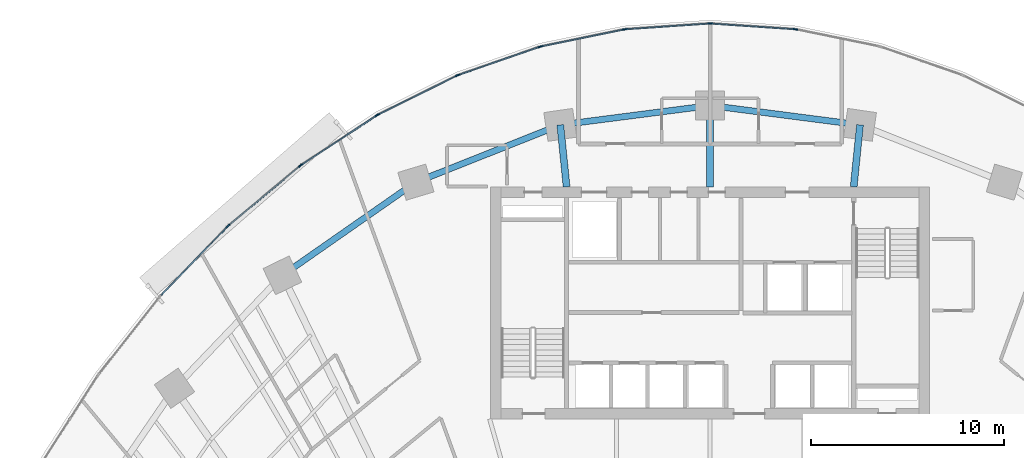
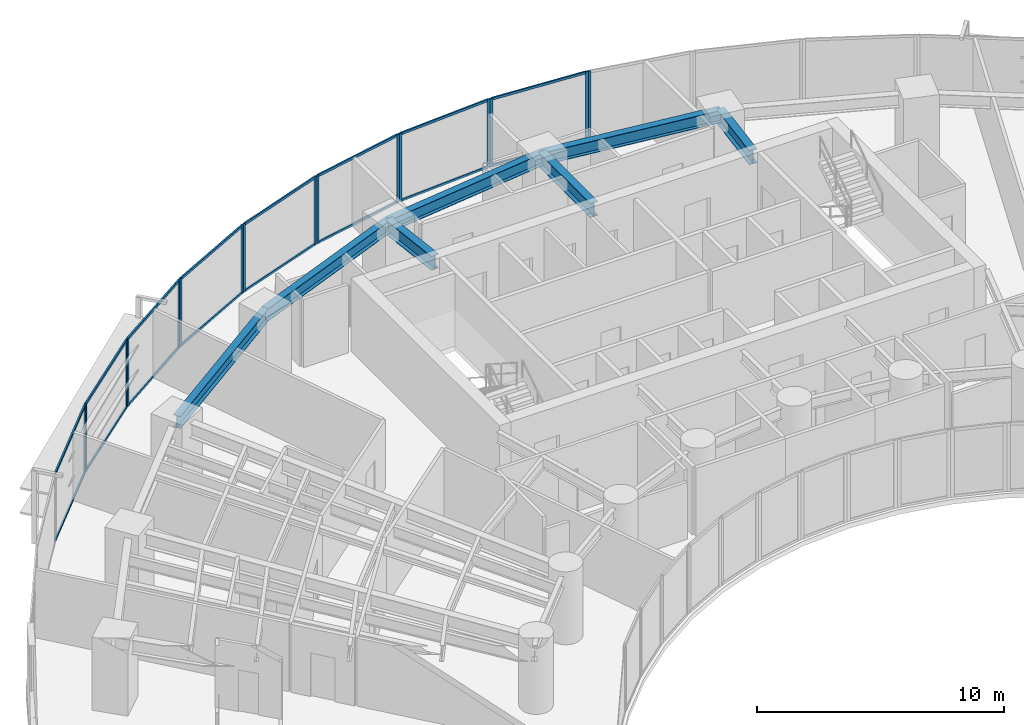
# One storey, part 6 of 17: 32 members, 7 beams, 9 elements without a shape of their own.
"""IFC4 building model written with IfcOpenShell, lengths in metres."""

from ifc_helpers import new_model, si_unit, direction, frame, origin, origin_2d, place, context, subcontext, project, spatial, rectangle, i_section, extrude, source, transform, mapped, material, layer, layer_set, material_profile, profile_set, type_object, type_shapes, element, aggregate, save


model = new_model("IFC4")

# Units and contexts
model_context = context("Model", 3, precision=1e-05, world=origin(), true_north=direction((0.0, 1.0)))
body_context = subcontext(model_context, "Body", "Model", "MODEL_VIEW")
ifc_project = project(units=[si_unit("LENGTHUNIT", "METRE"), si_unit("AREAUNIT", "SQUARE_METRE"), si_unit("VOLUMEUNIT", "CUBIC_METRE"), si_unit("PLANEANGLEUNIT", "RADIAN"), si_unit("MASSUNIT", "GRAM", prefix="KILO")], contexts=[model_context])

# Site, building, storey
site_placement = place(None, origin())
site = spatial("IfcSite", under=ifc_project, at=site_placement, CompositionType="ELEMENT")
building_placement = place(site_placement, origin())
building = spatial("IfcBuilding", under=site, at=building_placement, Name="Breltana Convention Tower", CompositionType="ELEMENT")
storey_placement = place(building_placement, frame((0.0, 0.0, 53.39990234375)))
storey = spatial("IfcBuildingStorey", under=building, at=storey_placement, Name="L11", CompositionType="ELEMENT", Elevation=53.39990234375)

# Beams
ifc_material_1 = material(Name="Steel ASTM A992 Grade 50", Category="steel")
ifc_material_profile_1 = material_profile(ifc_material_1, i_section(OverallWidth=0.323974609375, OverallDepth=0.611083984375, WebThickness=0.0126953125, FlangeThickness=0.01904296875, at=origin_2d()), Name="W24X104")
ifc_profile_set_1 = profile_set([ifc_material_profile_1], Name="Steel ASTM A992 Grade 50")
beam_type_1 = type_object("IfcBeamType", Name="BM-SP-W24X104", PredefinedType="SPANDREL", material=ifc_profile_set_1)
shared_shape_1 = source(origin(), body_context, "Body", "SweptSolid", [
    extrude(i_section(OverallWidth=0.323974609375, OverallDepth=0.611083984375, WebThickness=0.0126953125, FlangeThickness=0.01904296875, at=origin_2d()), origin(), (0.0, 0.0, 1.0), 8.4169921875),
])
beam_1_placement = place(storey_placement, frame((25.8876953125, 67.626953125, 3.0546875), z_axis=(0.820173800102, 0.572114444519, 0.0), x_axis=(-0.572114444519, 0.820173800102, 0.0)))
element("IfcBeam", 1, at=beam_1_placement, inside=storey, type_object=beam_type_1, Name="L11 Outer Spandrel Beam 03", PredefinedType="SPANDREL", context=body_context, shape_type="MappedRepresentation", body=[
    mapped(shared_shape_1, transform((0.0, 0.0, 0.0), scale=1.0)),
])
shared_shape_2 = source(origin(), body_context, "Body", "SweptSolid", [
    extrude(i_section(OverallWidth=0.323974609375, OverallDepth=0.611083984375, WebThickness=0.0126953125, FlangeThickness=0.01904296875, at=origin_2d()), origin(), (0.0, 0.0, 1.0), 8.028564453125),
])
beam_2_placement = place(storey_placement, frame((32.791015625, 72.4423828125, 3.0546875), z_axis=(0.929459100394, 0.368925169507, 0.0), x_axis=(-0.368925169507, 0.929459100394, 0.0)))
element("IfcBeam", 2, at=beam_2_placement, inside=storey, type_object=beam_type_1, Name="L11 Outer Spandrel Beam 04", PredefinedType="SPANDREL", context=body_context, shape_type="MappedRepresentation", body=[
    mapped(shared_shape_2, transform((0.0, 0.0, 0.0), scale=1.0)),
])
shared_shape_3 = source(origin(), body_context, "Body", "SweptSolid", [
    extrude(i_section(OverallWidth=0.323974609375, OverallDepth=0.611083984375, WebThickness=0.0126953125, FlangeThickness=0.01904296875, at=origin_2d()), origin(), (0.0, 0.0, 1.0), 7.81103515625),
])
for number, where, z_axis, x_axis, name in (
    (3, (40.253173828125, 75.404296875, 3.0546875), (0.991775179127, 0.127992164083, 0.0), (-0.127992164083, 0.991775179127, 0.0), "L11 Outer Spandrel Beam 05"),
    (4, (48.0, 76.404052734375, 3.0546875), (0.991775179127, -0.127992164083, 0.0), (0.127992164083, 0.991775179127, 0.0), "L11 Outer Spandrel Beam 06"),
):
    element("IfcBeam", number, at=place(storey_placement, frame(where, z_axis=z_axis, x_axis=x_axis)), inside=storey, type_object=beam_type_1, Name=name, PredefinedType="SPANDREL", context=body_context, shape_type="MappedRepresentation", body=[
        mapped(shared_shape_3, transform((0.0, 0.0, 0.0), scale=1.0)),
    ])
ifc_material_profile_2 = material_profile(ifc_material_1, i_section(OverallWidth=0.35498046875, OverallDepth=0.696044921875, WebThickness=0.015380859375, FlangeThickness=0.02490234375, at=origin_2d()), Name="W27X146")
ifc_profile_set_2 = profile_set([ifc_material_profile_2], Name="Steel ASTM A992 Grade 50")
beam_type_2 = type_object("IfcBeamType", Name="BM-RG-W27X146", PredefinedType="USERDEFINED", material=ifc_profile_set_2)
shared_shape_4 = source(origin(), body_context, "Body", "SweptSolid", [
    extrude(i_section(OverallWidth=0.35498046875, OverallDepth=0.696044921875, WebThickness=0.015380859375, FlangeThickness=0.02490234375, at=origin_2d()), origin(), (0.0, 0.0, 1.0), 3.220947265625),
])
for number, where, z_axis, x_axis, name in (
    (5, (40.580078125, 72.199951171875, 3.01220703125), (-0.101492254858, 0.994836329355, 0.0), (-0.994836329355, -0.101492254858, 0.0), "L11 North Core Radial Girder R05"),
    (6, (55.419921875, 72.199951171875, 3.01220703125), (0.101492254858, 0.994836329355, 0.0), (-0.994836329355, 0.101492254858, 0.0), "L11 North Core Radial Girder R07"),
):
    element("IfcBeam", number, at=place(storey_placement, frame(where, z_axis=z_axis, x_axis=x_axis)), inside=storey, type_object=beam_type_2, Name=name, ObjectType="GIRDER", PredefinedType="USERDEFINED", context=body_context, shape_type="MappedRepresentation", body=[
        mapped(shared_shape_4, transform((0.0, 0.0, 0.0), scale=1.0)),
    ])
shared_shape_5 = source(origin(), body_context, "Body", "SweptSolid", [
    extrude(i_section(OverallWidth=0.35498046875, OverallDepth=0.696044921875, WebThickness=0.015380859375, FlangeThickness=0.02490234375, at=origin_2d()), origin(), (0.0, 0.0, 1.0), 4.2041015625),
])
beam_3_placement = place(storey_placement, frame((48.0, 72.199951171875, 3.01220703125), z_axis=(0.0, 1.0, 0.0), x_axis=(-1.0, 0.0, 0.0)))
element("IfcBeam", 7, at=beam_3_placement, inside=storey, type_object=beam_type_2, Name="L11 North Core Radial Girder R06", ObjectType="GIRDER", PredefinedType="USERDEFINED", context=body_context, shape_type="MappedRepresentation", body=[
    mapped(shared_shape_5, transform((0.0, 0.0, 0.0), scale=1.0)),
])

# Curtain wall, member
ifc_material_2 = material(Name="Aluminium Anodised Bronze Frame", Category="aluminium")
ifc_layer = layer(ifc_material_2, 0.199951171875, Name="Aluminium Anodised Bronze Frame")
ifc_layer_set = layer_set([ifc_layer], Name="Aluminium Anodised Bronze Frame")
curtain_wall_type = type_object("IfcCurtainWallType", Name="CW-SYS-2", PredefinedType="NOTDEFINED", material=ifc_layer_set)
curtain_wall_1_placement = place(storey_placement, origin())
curtain_wall_1 = element("IfcCurtainWall", 8, at=curtain_wall_1_placement, inside=storey, type_object=curtain_wall_type, Name="L11 outer double-skin inner glazing 3", PredefinedType="NOTDEFINED")
ifc_material_3 = material(Name="Aluminium Anodised Bronze", Category="aluminium")
ifc_material_profile_3 = material_profile(ifc_material_3, rectangle(XDim=0.070068359375, YDim=0.175048828125, at=origin_2d()), Name="CWM-70X175")
ifc_profile_set_3 = profile_set([ifc_material_profile_3], Name="Aluminium Anodised Bronze")
member_type_1 = type_object("IfcMemberType", Name="CWM-175", PredefinedType="MULLION", material=ifc_profile_set_3)
shared_shape_6 = source(origin(), body_context, "Body", "SweptSolid", [
    extrude(rectangle(XDim=0.070068359375, YDim=0.175048828125, at=origin_2d()), origin(), (0.0, 0.0, 1.0), 3.360107421875),
])
type_shapes(member_type_1, [shared_shape_6])
member_1_placement = place(storey_placement, frame((23.044189453125, 70.147705078125, 0.0), z_axis=(0.0, 0.0, 1.0), x_axis=(-0.719386421003, 0.694610090106, 0.0)))
member_1 = element("IfcMember", 9, at=member_1_placement, type_object=member_type_1, Name="CW-02 mullion 2", PredefinedType="MULLION", context=body_context, shape_type="MappedRepresentation", body=[
    mapped(shared_shape_6, transform((0.0, 0.0, 0.0), scale=1.0)),
])

# Curtain wall, members
curtain_wall_2_placement = place(storey_placement, origin())
curtain_wall_2 = element("IfcCurtainWall", 10, at=curtain_wall_2_placement, inside=storey, type_object=curtain_wall_type, Name="L11 outer double-skin inner glazing 4", PredefinedType="NOTDEFINED")
member_2_placement = place(storey_placement, frame((23.09521484375, 70.1953125, 0.0), z_axis=(0.0, 0.0, 1.0), x_axis=(-0.640520193554, 0.767941326958, 0.0)))
member_2 = element("IfcMember", 11, at=member_2_placement, type_object=member_type_1, Name="CW-02 mullion 1", PredefinedType="MULLION", context=body_context, shape_type="MappedRepresentation", body=[
    mapped(shared_shape_6, transform((0.0, 0.0, 0.0), scale=1.0)),
])
member_3_placement = place(storey_placement, frame((26.79736328125, 73.283203125, 0.0), z_axis=(0.0, 0.0, 1.0), x_axis=(-0.640520193554, 0.767941326958, 0.0)))
member_3 = element("IfcMember", 12, at=member_3_placement, type_object=member_type_1, Name="CW-02 mullion 2", PredefinedType="MULLION", context=body_context, shape_type="MappedRepresentation", body=[
    mapped(shared_shape_6, transform((0.0, 0.0, 0.0), scale=1.0)),
])

curtain_wall_3_placement = place(storey_placement, origin())
curtain_wall_3 = element("IfcCurtainWall", 13, at=curtain_wall_3_placement, inside=storey, type_object=curtain_wall_type, Name="L11 outer double-skin inner glazing 5", PredefinedType="NOTDEFINED")
member_4_placement = place(storey_placement, frame((26.853515625, 73.32470703125, 0.0), z_axis=(0.0, 0.0, 1.0), x_axis=(-0.548784255746, 0.83596401875, 0.0)))
member_4 = element("IfcMember", 14, at=member_4_placement, type_object=member_type_1, Name="CW-02 mullion 1", PredefinedType="MULLION", context=body_context, shape_type="MappedRepresentation", body=[
    mapped(shared_shape_6, transform((0.0, 0.0, 0.0), scale=1.0)),
])
member_5_placement = place(storey_placement, frame((30.766357421875, 75.8935546875, 0.0), z_axis=(0.0, 0.0, 1.0), x_axis=(-0.548784255746, 0.83596401875, 0.0)))
member_5 = element("IfcMember", 15, at=member_5_placement, type_object=member_type_1, Name="CW-02 mullion 2", PredefinedType="MULLION", context=body_context, shape_type="MappedRepresentation", body=[
    mapped(shared_shape_6, transform((0.0, 0.0, 0.0), scale=1.0)),
])

curtain_wall_4_placement = place(storey_placement, origin())
curtain_wall_4 = element("IfcCurtainWall", 16, at=curtain_wall_4_placement, inside=storey, type_object=curtain_wall_type, Name="L11 outer double-skin inner glazing 6", PredefinedType="NOTDEFINED")
member_6_placement = place(storey_placement, frame((30.8271484375, 75.92822265625, 0.0), z_axis=(0.0, 0.0, 1.0), x_axis=(-0.444107703726, 0.895973407804, 0.0)))
member_6 = element("IfcMember", 17, at=member_6_placement, type_object=member_type_1, Name="CW-02 mullion 1", PredefinedType="MULLION", context=body_context, shape_type="MappedRepresentation", body=[
    mapped(shared_shape_6, transform((0.0, 0.0, 0.0), scale=1.0)),
])
member_7_placement = place(storey_placement, frame((34.910400390625, 77.9521484375, 0.0), z_axis=(0.0, 0.0, 1.0), x_axis=(-0.444107703726, 0.895973407804, 0.0)))
member_7 = element("IfcMember", 18, at=member_7_placement, type_object=member_type_1, Name="CW-02 mullion 2", PredefinedType="MULLION", context=body_context, shape_type="MappedRepresentation", body=[
    mapped(shared_shape_6, transform((0.0, 0.0, 0.0), scale=1.0)),
])

curtain_wall_5_placement = place(storey_placement, origin())
curtain_wall_5 = element("IfcCurtainWall", 19, at=curtain_wall_5_placement, inside=storey, type_object=curtain_wall_type, Name="L11 outer double-skin inner glazing 7", PredefinedType="NOTDEFINED")
member_8_placement = place(storey_placement, frame((34.974853515625, 77.979248046875, 0.0), z_axis=(0.0, 0.0, 1.0), x_axis=(-0.32742834581, 0.944876012163, 0.0)))
member_8 = element("IfcMember", 20, at=member_8_placement, type_object=member_type_1, Name="CW-02 mullion 1", PredefinedType="MULLION", context=body_context, shape_type="MappedRepresentation", body=[
    mapped(shared_shape_6, transform((0.0, 0.0, 0.0), scale=1.0)),
])
member_9_placement = place(storey_placement, frame((39.1875, 79.43896484375, 0.0), z_axis=(0.0, 0.0, 1.0), x_axis=(-0.32742834581, 0.944876012163, 0.0)))
member_9 = element("IfcMember", 21, at=member_9_placement, type_object=member_type_1, Name="CW-02 mullion 2", PredefinedType="MULLION", context=body_context, shape_type="MappedRepresentation", body=[
    mapped(shared_shape_6, transform((0.0, 0.0, 0.0), scale=1.0)),
])

curtain_wall_6_placement = place(storey_placement, origin())
curtain_wall_6 = element("IfcCurtainWall", 22, at=curtain_wall_6_placement, inside=storey, type_object=curtain_wall_type, Name="L11 outer double-skin inner glazing 8", PredefinedType="NOTDEFINED")
member_10_placement = place(storey_placement, frame((39.2548828125, 79.45751953125, 0.0), z_axis=(0.0, 0.0, 1.0), x_axis=(-0.200884537139, 0.979614925743, 0.0)))
member_10 = element("IfcMember", 23, at=member_10_placement, type_object=member_type_1, Name="CW-02 mullion 1", PredefinedType="MULLION", context=body_context, shape_type="MappedRepresentation", body=[
    mapped(shared_shape_6, transform((0.0, 0.0, 0.0), scale=1.0)),
])
member_11_placement = place(storey_placement, frame((43.5537109375, 80.339111328125, 0.0), z_axis=(0.0, 0.0, 1.0), x_axis=(-0.200884537139, 0.979614925743, 0.0)))
member_11 = element("IfcMember", 24, at=member_11_placement, type_object=member_type_1, Name="CW-02 mullion 2", PredefinedType="MULLION", context=body_context, shape_type="MappedRepresentation", body=[
    mapped(shared_shape_6, transform((0.0, 0.0, 0.0), scale=1.0)),
])

curtain_wall_7_placement = place(storey_placement, origin())
curtain_wall_7 = element("IfcCurtainWall", 25, at=curtain_wall_7_placement, inside=storey, type_object=curtain_wall_type, Name="L11 outer double-skin inner glazing 9", PredefinedType="NOTDEFINED")
member_12_placement = place(storey_placement, frame((43.622802734375, 80.348388671875, 0.0), z_axis=(0.0, 0.0, 1.0), x_axis=(-0.067725650529, 0.997703982282, 0.0)))
member_12 = element("IfcMember", 26, at=member_12_placement, type_object=member_type_1, Name="CW-02 mullion 1", PredefinedType="MULLION", context=body_context, shape_type="MappedRepresentation", body=[
    mapped(shared_shape_6, transform((0.0, 0.0, 0.0), scale=1.0)),
])
member_13_placement = place(storey_placement, frame((47.965087890625, 80.643310546875, 0.0), z_axis=(0.0, 0.0, 1.0), x_axis=(-0.067725650529, 0.997703982282, 0.0)))
member_13 = element("IfcMember", 27, at=member_13_placement, type_object=member_type_1, Name="CW-02 mullion 2", PredefinedType="MULLION", context=body_context, shape_type="MappedRepresentation", body=[
    mapped(shared_shape_6, transform((0.0, 0.0, 0.0), scale=1.0)),
])

curtain_wall_8_placement = place(storey_placement, origin())
curtain_wall_8 = element("IfcCurtainWall", 28, at=curtain_wall_8_placement, inside=storey, type_object=curtain_wall_type, Name="L11 outer double-skin inner glazing 10", PredefinedType="NOTDEFINED")
member_14_placement = place(storey_placement, frame((48.034912109375, 80.643310546875, 0.0), z_axis=(0.0, 0.0, 1.0), x_axis=(0.067725650529, 0.997703982282, 0.0)))
member_14 = element("IfcMember", 29, at=member_14_placement, type_object=member_type_1, Name="CW-02 mullion 1", PredefinedType="MULLION", context=body_context, shape_type="MappedRepresentation", body=[
    mapped(shared_shape_6, transform((0.0, 0.0, 0.0), scale=1.0)),
])
member_15_placement = place(storey_placement, frame((52.377197265625, 80.348388671875, 0.0), z_axis=(0.0, 0.0, 1.0), x_axis=(0.067725650529, 0.997703982282, 0.0)))
member_15 = element("IfcMember", 30, at=member_15_placement, type_object=member_type_1, Name="CW-02 mullion 2", PredefinedType="MULLION", context=body_context, shape_type="MappedRepresentation", body=[
    mapped(shared_shape_6, transform((0.0, 0.0, 0.0), scale=1.0)),
])

# Curtain wall, member
curtain_wall_9_placement = place(storey_placement, origin())
curtain_wall_9 = element("IfcCurtainWall", 31, at=curtain_wall_9_placement, inside=storey, type_object=curtain_wall_type, Name="L11 outer double-skin inner glazing 11", PredefinedType="NOTDEFINED")
member_16_placement = place(storey_placement, frame((52.4462890625, 80.339111328125, 0.0), z_axis=(0.0, 0.0, 1.0), x_axis=(0.200884537139, 0.979614925743, 0.0)))
member_16 = element("IfcMember", 32, at=member_16_placement, type_object=member_type_1, Name="CW-02 mullion 1", PredefinedType="MULLION", context=body_context, shape_type="MappedRepresentation", body=[
    mapped(shared_shape_6, transform((0.0, 0.0, 0.0), scale=1.0)),
])
aggregate(curtain_wall_9, [member_16])

# Member
ifc_material_profile_4 = material_profile(ifc_material_3, rectangle(XDim=0.070068359375, YDim=0.1201171875, at=origin_2d()), Name="CWT-70X120")
ifc_profile_set_4 = profile_set([ifc_material_profile_4], Name="Aluminium Anodised Bronze")
member_type_2 = type_object("IfcMemberType", Name="CWT-120", PredefinedType="USERDEFINED", material=ifc_profile_set_4)
shared_shape_7 = source(origin(), body_context, "Body", "SweptSolid", [
    extrude(rectangle(XDim=0.070068359375, YDim=0.1201171875, at=origin_2d()), origin(), (0.0, 0.0, 1.0), 4.901123046875),
])
member_17_placement = place(storey_placement, frame((19.615478515625, 66.5966796875, 0.03515625), z_axis=(0.6945945137, 0.719401460617, 0.0), x_axis=(-0.719401460617, 0.6945945137, 0.0)))
member_17 = element("IfcMember", 33, at=member_17_placement, type_object=member_type_2, Name="CW-02 transom 1.1", ObjectType="TRANSOM", PredefinedType="USERDEFINED", context=body_context, shape_type="MappedRepresentation", body=[
    mapped(shared_shape_7, transform((0.0, 0.0, 0.0), scale=1.0)),
])

member_18_placement = place(storey_placement, frame((19.615478515625, 66.5966796875, 3.3251953125), z_axis=(0.6945945137, 0.719401460617, 0.0), x_axis=(-0.719401460617, 0.6945945137, 0.0)))
member_18 = element("IfcMember", 34, at=member_18_placement, type_object=member_type_2, Name="CW-02 transom 1.2", ObjectType="TRANSOM", PredefinedType="USERDEFINED", context=body_context, shape_type="MappedRepresentation", body=[
    mapped(shared_shape_7, transform((0.0, 0.0, 0.0), scale=1.0)),
])

aggregate(curtain_wall_1, [member_1, member_17, member_18])

shared_shape_8 = source(origin(), body_context, "Body", "SweptSolid", [
    extrude(rectangle(XDim=0.070068359375, YDim=0.1201171875, at=origin_2d()), origin(), (0.0, 0.0, 1.0), 4.7509765625),
])
member_19_placement = place(storey_placement, frame((23.1220703125, 70.2177734375, 0.03515625), z_axis=(0.767951631807, 0.64050783852, 0.0), x_axis=(-0.64050783852, 0.767951631807, 0.0)))
member_19 = element("IfcMember", 35, at=member_19_placement, type_object=member_type_2, Name="CW-02 transom 1.1", ObjectType="TRANSOM", PredefinedType="USERDEFINED", context=body_context, shape_type="MappedRepresentation", body=[
    mapped(shared_shape_8, transform((0.0, 0.0, 0.0), scale=1.0)),
])

member_20_placement = place(storey_placement, frame((23.1220703125, 70.2177734375, 3.3251953125), z_axis=(0.767951631807, 0.64050783852, 0.0), x_axis=(-0.64050783852, 0.767951631807, 0.0)))
member_20 = element("IfcMember", 36, at=member_20_placement, type_object=member_type_2, Name="CW-02 transom 1.2", ObjectType="TRANSOM", PredefinedType="USERDEFINED", context=body_context, shape_type="MappedRepresentation", body=[
    mapped(shared_shape_8, transform((0.0, 0.0, 0.0), scale=1.0)),
])

aggregate(curtain_wall_2, [member_2, member_3, member_19, member_20])

shared_shape_9 = source(origin(), body_context, "Body", "SweptSolid", [
    extrude(rectangle(XDim=0.070068359375, YDim=0.1201171875, at=origin_2d()), origin(), (0.0, 0.0, 1.0), 4.610595703125),
])
member_21_placement = place(storey_placement, frame((26.8828125, 73.343994140625, 0.03515625), z_axis=(0.835956055104, 0.54879638659, 0.0), x_axis=(-0.54879638659, 0.835956055104, 0.0)))
member_21 = element("IfcMember", 37, at=member_21_placement, type_object=member_type_2, Name="CW-02 transom 1.1", ObjectType="TRANSOM", PredefinedType="USERDEFINED", context=body_context, shape_type="MappedRepresentation", body=[
    mapped(shared_shape_9, transform((0.0, 0.0, 0.0), scale=1.0)),
])

member_22_placement = place(storey_placement, frame((26.8828125, 73.343994140625, 3.3251953125), z_axis=(0.835956055104, 0.54879638659, 0.0), x_axis=(-0.54879638659, 0.835956055104, 0.0)))
member_22 = element("IfcMember", 38, at=member_22_placement, type_object=member_type_2, Name="CW-02 transom 1.2", ObjectType="TRANSOM", PredefinedType="USERDEFINED", context=body_context, shape_type="MappedRepresentation", body=[
    mapped(shared_shape_9, transform((0.0, 0.0, 0.0), scale=1.0)),
])

aggregate(curtain_wall_3, [member_4, member_5, member_21, member_22])

shared_shape_10 = source(origin(), body_context, "Body", "SweptSolid", [
    extrude(rectangle(XDim=0.070068359375, YDim=0.1201171875, at=origin_2d()), origin(), (0.0, 0.0, 1.0), 4.487548828125),
])
member_23_placement = place(storey_placement, frame((30.8583984375, 75.94384765625, 0.03515625), z_axis=(0.895977728863, 0.444098986017, 0.0), x_axis=(-0.444098986017, 0.895977728863, 0.0)))
member_23 = element("IfcMember", 39, at=member_23_placement, type_object=member_type_2, Name="CW-02 transom 1.1", ObjectType="TRANSOM", PredefinedType="USERDEFINED", context=body_context, shape_type="MappedRepresentation", body=[
    mapped(shared_shape_10, transform((0.0, 0.0, 0.0), scale=1.0)),
])

member_24_placement = place(storey_placement, frame((30.8583984375, 75.94384765625, 3.3251953125), z_axis=(0.895977728863, 0.444098986017, 0.0), x_axis=(-0.444098986017, 0.895977728863, 0.0)))
member_24 = element("IfcMember", 40, at=member_24_placement, type_object=member_type_2, Name="CW-02 transom 1.2", ObjectType="TRANSOM", PredefinedType="USERDEFINED", context=body_context, shape_type="MappedRepresentation", body=[
    mapped(shared_shape_10, transform((0.0, 0.0, 0.0), scale=1.0)),
])

aggregate(curtain_wall_4, [member_6, member_7, member_23, member_24])

shared_shape_11 = source(origin(), body_context, "Body", "SweptSolid", [
    extrude(rectangle(XDim=0.070068359375, YDim=0.1201171875, at=origin_2d()), origin(), (0.0, 0.0, 1.0), 4.38818359375),
])
member_25_placement = place(storey_placement, frame((35.008056640625, 77.99072265625, 0.03515625), z_axis=(0.944878203019, 0.32742202348, 0.0), x_axis=(-0.32742202348, 0.944878203019, 0.0)))
member_25 = element("IfcMember", 41, at=member_25_placement, type_object=member_type_2, Name="CW-02 transom 1.1", ObjectType="TRANSOM", PredefinedType="USERDEFINED", context=body_context, shape_type="MappedRepresentation", body=[
    mapped(shared_shape_11, transform((0.0, 0.0, 0.0), scale=1.0)),
])

member_26_placement = place(storey_placement, frame((35.008056640625, 77.99072265625, 3.3251953125), z_axis=(0.944878203019, 0.32742202348, 0.0), x_axis=(-0.32742202348, 0.944878203019, 0.0)))
member_26 = element("IfcMember", 42, at=member_26_placement, type_object=member_type_2, Name="CW-02 transom 1.2", ObjectType="TRANSOM", PredefinedType="USERDEFINED", context=body_context, shape_type="MappedRepresentation", body=[
    mapped(shared_shape_11, transform((0.0, 0.0, 0.0), scale=1.0)),
])

aggregate(curtain_wall_5, [member_8, member_9, member_25, member_26])

shared_shape_12 = source(origin(), body_context, "Body", "SweptSolid", [
    extrude(rectangle(XDim=0.070068359375, YDim=0.1201171875, at=origin_2d()), origin(), (0.0, 0.0, 1.0), 4.318359375),
])
member_27_placement = place(storey_placement, frame((39.2890625, 79.464599609375, 0.03515625), z_axis=(0.979616680923, 0.200875977799, 0.0), x_axis=(-0.200875977799, 0.979616680923, 0.0)))
member_27 = element("IfcMember", 43, at=member_27_placement, type_object=member_type_2, Name="CW-02 transom 1.1", ObjectType="TRANSOM", PredefinedType="USERDEFINED", context=body_context, shape_type="MappedRepresentation", body=[
    mapped(shared_shape_12, transform((0.0, 0.0, 0.0), scale=1.0)),
])

member_28_placement = place(storey_placement, frame((39.2890625, 79.464599609375, 3.3251953125), z_axis=(0.979616680923, 0.200875977799, 0.0), x_axis=(-0.200875977799, 0.979616680923, 0.0)))
member_28 = element("IfcMember", 44, at=member_28_placement, type_object=member_type_2, Name="CW-02 transom 1.2", ObjectType="TRANSOM", PredefinedType="USERDEFINED", context=body_context, shape_type="MappedRepresentation", body=[
    mapped(shared_shape_12, transform((0.0, 0.0, 0.0), scale=1.0)),
])

aggregate(curtain_wall_6, [member_10, member_11, member_27, member_28])

shared_shape_13 = source(origin(), body_context, "Body", "SweptSolid", [
    extrude(rectangle(XDim=0.070068359375, YDim=0.1201171875, at=origin_2d()), origin(), (0.0, 0.0, 1.0), 4.2822265625),
])
member_29_placement = place(storey_placement, frame((43.65771484375, 80.350830078125, 0.03515625), z_axis=(0.997703698684, 0.067729828231, 0.0), x_axis=(-0.067729828231, 0.997703698684, 0.0)))
member_29 = element("IfcMember", 45, at=member_29_placement, type_object=member_type_2, Name="CW-02 transom 1.1", ObjectType="TRANSOM", PredefinedType="USERDEFINED", context=body_context, shape_type="MappedRepresentation", body=[
    mapped(shared_shape_13, transform((0.0, 0.0, 0.0), scale=1.0)),
])

member_30_placement = place(storey_placement, frame((43.65771484375, 80.350830078125, 3.3251953125), z_axis=(0.997703698684, 0.067729828231, 0.0), x_axis=(-0.067729828231, 0.997703698684, 0.0)))
member_30 = element("IfcMember", 46, at=member_30_placement, type_object=member_type_2, Name="CW-02 transom 1.2", ObjectType="TRANSOM", PredefinedType="USERDEFINED", context=body_context, shape_type="MappedRepresentation", body=[
    mapped(shared_shape_13, transform((0.0, 0.0, 0.0), scale=1.0)),
])

aggregate(curtain_wall_7, [member_12, member_13, member_29, member_30])

member_31_placement = place(storey_placement, frame((48.06982421875, 80.640869140625, 0.03515625), z_axis=(0.997703698684, -0.067729828231, 0.0), x_axis=(0.067729828231, 0.997703698684, 0.0)))
member_31 = element("IfcMember", 47, at=member_31_placement, type_object=member_type_2, Name="CW-02 transom 1.1", ObjectType="TRANSOM", PredefinedType="USERDEFINED", context=body_context, shape_type="MappedRepresentation", body=[
    mapped(shared_shape_13, transform((0.0, 0.0, 0.0), scale=1.0)),
])

member_32_placement = place(storey_placement, frame((48.06982421875, 80.640869140625, 3.3251953125), z_axis=(0.997703698684, -0.067729828231, 0.0), x_axis=(0.067729828231, 0.997703698684, 0.0)))
member_32 = element("IfcMember", 48, at=member_32_placement, type_object=member_type_2, Name="CW-02 transom 1.2", ObjectType="TRANSOM", PredefinedType="USERDEFINED", context=body_context, shape_type="MappedRepresentation", body=[
    mapped(shared_shape_13, transform((0.0, 0.0, 0.0), scale=1.0)),
])

aggregate(curtain_wall_8, [member_14, member_15, member_31, member_32])

save(model, "model.ifc")
